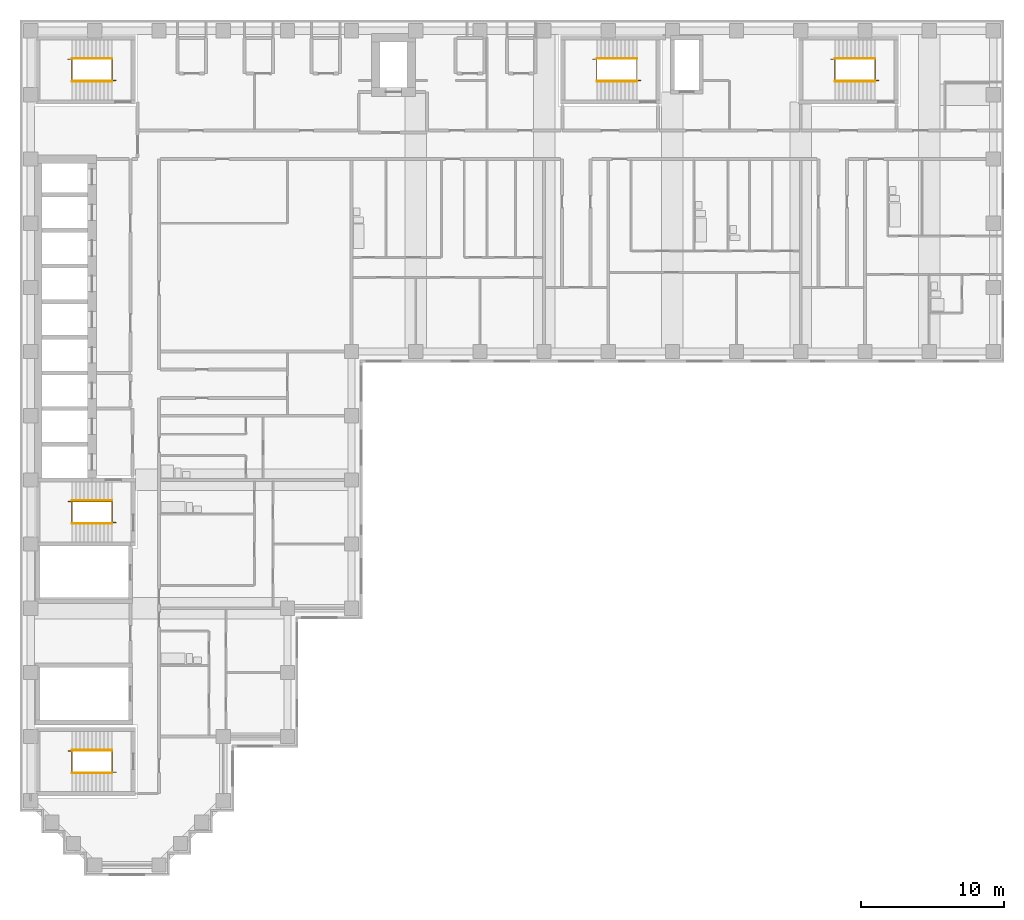
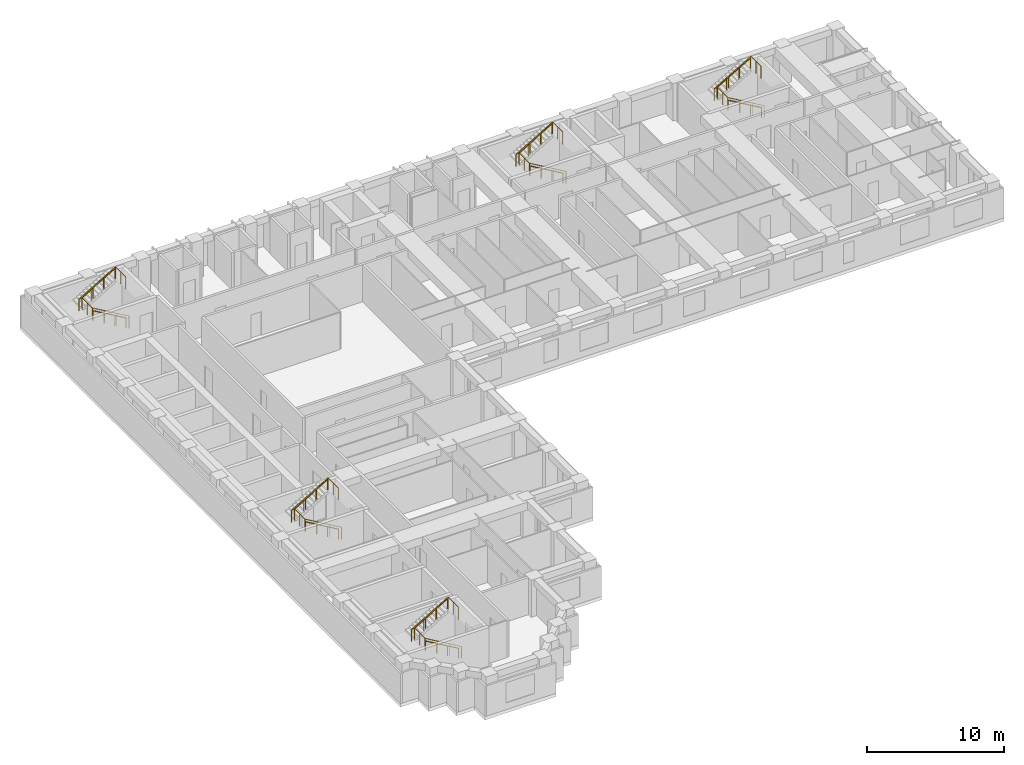
# One storey, part 10 of 11: 15 railings.
"""IFC4 building model written with IfcOpenShell, lengths in metres."""

from ifc_helpers import new_model, si_unit, direction, frame, origin, origin_2d, place, context, subcontext, project, spatial, circle, extrude, material, type_object, element, save


model = new_model("IFC4")

# Units and contexts
model_context = context("Model", 3, precision=1e-05, world=origin(), true_north=direction((0.0, 1.0)))
body_context = subcontext(model_context, "Body", "Model", "MODEL_VIEW")
ifc_project = project(units=[si_unit("LENGTHUNIT", "METRE"), si_unit("AREAUNIT", "SQUARE_METRE"), si_unit("VOLUMEUNIT", "CUBIC_METRE"), si_unit("PLANEANGLEUNIT", "RADIAN"), si_unit("MASSUNIT", "GRAM", prefix="KILO")], contexts=[model_context])

# Site, building, storey
site_placement = place(None, origin())
site = spatial("IfcSite", under=ifc_project, at=site_placement, CompositionType="ELEMENT")
building_placement = place(site_placement, origin())
building = spatial("IfcBuilding", under=site, at=building_placement, Name="Firuza Court", CompositionType="ELEMENT")
storey_placement = place(building_placement, frame((0.0, 0.0, 130.39990234375)))
storey = spatial("IfcBuildingStorey", under=building, at=storey_placement, Name="L32", CompositionType="ELEMENT", Elevation=130.39990234375)

# Railings
ifc_material_1 = material(Name="Steel S355", Category="steel")
railing_type_1 = type_object("IfcRailingType", Name="Handrail 900", PredefinedType="HANDRAIL", material=ifc_material_1)
railing_1_placement = place(storey_placement, frame((42.5, 54.949951171875, 0.163818359375)))
element("IfcRailing", 1, at=railing_1_placement, inside=storey, type_object=railing_type_1, Name="Handrail S1 flight 1", PredefinedType="HANDRAIL", context=body_context, shape_type="SweptSolid", body=[
    extrude(circle(Radius=0.02490234375, at=origin_2d()), frame((0.0, 0.0, 0.875), z_axis=(-0.863393664356, 0.0, 0.504530851732), x_axis=(0.0, -1.0, 0.0)), (0.0, 0.0, 1.0), 3.2431640625),
    extrude(circle(Radius=0.02001953125, at=origin_2d()), origin(), (0.0, 0.0, 1.0), 0.849853515625),
    extrude(circle(Radius=0.02001953125, at=origin_2d()), frame((-0.933349609375, 0.0, 0.54541015625)), (0.0, 0.0, 1.0), 0.849853515625),
    extrude(circle(Radius=0.02001953125, at=origin_2d()), frame((-1.86669921875, 0.0, 1.0908203125)), (0.0, 0.0, 1.0), 0.849853515625),
    extrude(circle(Radius=0.02001953125, at=origin_2d()), frame((-2.800048828125, 0.0, 1.63623046875)), (0.0, 0.0, 1.0), 0.849853515625),
])
railing_2_placement = place(storey_placement, frame((39.699951171875, 56.550048828125, 1.963623046875)))
element("IfcRailing", 2, at=railing_2_placement, inside=storey, type_object=railing_type_1, Name="Handrail S1 flight 2", PredefinedType="HANDRAIL", context=body_context, shape_type="SweptSolid", body=[
    extrude(circle(Radius=0.02490234375, at=origin_2d()), frame((0.0, 0.0, 0.875), z_axis=(0.863360870873, 0.0, 0.504586966384), x_axis=(0.0, 1.0, 0.0)), (0.0, 0.0, 1.0), 3.2431640625),
    extrude(circle(Radius=0.02001953125, at=origin_2d()), origin(), (0.0, 0.0, 1.0), 0.849853515625),
    extrude(circle(Radius=0.02001953125, at=origin_2d()), frame((0.933349609375, 0.0, 0.54541015625)), (0.0, 0.0, 1.0), 0.849853515625),
    extrude(circle(Radius=0.02001953125, at=origin_2d()), frame((1.86669921875, 0.0, 1.091064453125)), (0.0, 0.0, 1.0), 0.849853515625),
    extrude(circle(Radius=0.02001953125, at=origin_2d()), frame((2.800048828125, 0.0, 1.636474609375)), (0.0, 0.0, 1.0), 0.849853515625),
])
railing_3_placement = place(storey_placement, frame((5.699951171875, 23.949951171875, 0.163818359375)))
element("IfcRailing", 3, at=railing_3_placement, inside=storey, type_object=railing_type_1, Name="Handrail S2 flight 1", PredefinedType="HANDRAIL", context=body_context, shape_type="SweptSolid", body=[
    extrude(circle(Radius=0.02490234375, at=origin_2d()), frame((0.0, 0.0, 0.875), z_axis=(-0.863393664356, 0.0, 0.504530851732), x_axis=(0.0, -1.0, 0.0)), (0.0, 0.0, 1.0), 3.2431640625),
    extrude(circle(Radius=0.02001953125, at=origin_2d()), origin(), (0.0, 0.0, 1.0), 0.849853515625),
    extrude(circle(Radius=0.02001953125, at=origin_2d()), frame((-0.933349609375, 0.0, 0.54541015625)), (0.0, 0.0, 1.0), 0.849853515625),
    extrude(circle(Radius=0.02001953125, at=origin_2d()), frame((-1.86669921875, 0.0, 1.0908203125)), (0.0, 0.0, 1.0), 0.849853515625),
    extrude(circle(Radius=0.02001953125, at=origin_2d()), frame((-2.800048828125, 0.0, 1.63623046875)), (0.0, 0.0, 1.0), 0.849853515625),
])
railing_4_placement = place(storey_placement, frame((2.89990234375, 25.550048828125, 1.963623046875)))
element("IfcRailing", 4, at=railing_4_placement, inside=storey, type_object=railing_type_1, Name="Handrail S2 flight 2", PredefinedType="HANDRAIL", context=body_context, shape_type="SweptSolid", body=[
    extrude(circle(Radius=0.02490234375, at=origin_2d()), frame((0.0, 0.0, 0.875), z_axis=(0.863360870873, 0.0, 0.504586966384), x_axis=(0.0, 1.0, 0.0)), (0.0, 0.0, 1.0), 3.2431640625),
    extrude(circle(Radius=0.02001953125, at=origin_2d()), origin(), (0.0, 0.0, 1.0), 0.849853515625),
    extrude(circle(Radius=0.02001953125, at=origin_2d()), frame((0.933349609375, 0.0, 0.54541015625)), (0.0, 0.0, 1.0), 0.849853515625),
    extrude(circle(Radius=0.02001953125, at=origin_2d()), frame((1.86669921875, 0.0, 1.091064453125)), (0.0, 0.0, 1.0), 0.849853515625),
    extrude(circle(Radius=0.02001953125, at=origin_2d()), frame((2.800048828125, 0.0, 1.636474609375)), (0.0, 0.0, 1.0), 0.849853515625),
])
railing_5_placement = place(storey_placement, frame((5.699951171875, 54.949951171875, 0.163818359375)))
element("IfcRailing", 5, at=railing_5_placement, inside=storey, type_object=railing_type_1, Name="Handrail S3 flight 1", PredefinedType="HANDRAIL", context=body_context, shape_type="SweptSolid", body=[
    extrude(circle(Radius=0.02490234375, at=origin_2d()), frame((0.0, 0.0, 0.875), z_axis=(-0.863393664356, 0.0, 0.504530851732), x_axis=(0.0, -1.0, 0.0)), (0.0, 0.0, 1.0), 3.2431640625),
    extrude(circle(Radius=0.02001953125, at=origin_2d()), origin(), (0.0, 0.0, 1.0), 0.849853515625),
    extrude(circle(Radius=0.02001953125, at=origin_2d()), frame((-0.933349609375, 0.0, 0.54541015625)), (0.0, 0.0, 1.0), 0.849853515625),
    extrude(circle(Radius=0.02001953125, at=origin_2d()), frame((-1.86669921875, 0.0, 1.0908203125)), (0.0, 0.0, 1.0), 0.849853515625),
    extrude(circle(Radius=0.02001953125, at=origin_2d()), frame((-2.800048828125, 0.0, 1.63623046875)), (0.0, 0.0, 1.0), 0.849853515625),
])
railing_6_placement = place(storey_placement, frame((2.89990234375, 56.550048828125, 1.963623046875)))
element("IfcRailing", 6, at=railing_6_placement, inside=storey, type_object=railing_type_1, Name="Handrail S3 flight 2", PredefinedType="HANDRAIL", context=body_context, shape_type="SweptSolid", body=[
    extrude(circle(Radius=0.02490234375, at=origin_2d()), frame((0.0, 0.0, 0.875), z_axis=(0.863360870873, 0.0, 0.504586966384), x_axis=(0.0, 1.0, 0.0)), (0.0, 0.0, 1.0), 3.2431640625),
    extrude(circle(Radius=0.02001953125, at=origin_2d()), origin(), (0.0, 0.0, 1.0), 0.849853515625),
    extrude(circle(Radius=0.02001953125, at=origin_2d()), frame((0.933349609375, 0.0, 0.54541015625)), (0.0, 0.0, 1.0), 0.849853515625),
    extrude(circle(Radius=0.02001953125, at=origin_2d()), frame((1.86669921875, 0.0, 1.091064453125)), (0.0, 0.0, 1.0), 0.849853515625),
    extrude(circle(Radius=0.02001953125, at=origin_2d()), frame((2.800048828125, 0.0, 1.636474609375)), (0.0, 0.0, 1.0), 0.849853515625),
])
railing_7_placement = place(storey_placement, frame((59.199951171875, 54.949951171875, 0.163818359375)))
element("IfcRailing", 7, at=railing_7_placement, inside=storey, type_object=railing_type_1, Name="Handrail S4 flight 1", PredefinedType="HANDRAIL", context=body_context, shape_type="SweptSolid", body=[
    extrude(circle(Radius=0.02490234375, at=origin_2d()), frame((0.0, 0.0, 0.875), z_axis=(-0.863393664356, 0.0, 0.504530851732), x_axis=(0.0, -1.0, 0.0)), (0.0, 0.0, 1.0), 3.2431640625),
    extrude(circle(Radius=0.02001953125, at=origin_2d()), origin(), (0.0, 0.0, 1.0), 0.849853515625),
    extrude(circle(Radius=0.02001953125, at=origin_2d()), frame((-0.933349609375, 0.0, 0.54541015625)), (0.0, 0.0, 1.0), 0.849853515625),
    extrude(circle(Radius=0.02001953125, at=origin_2d()), frame((-1.86669921875, 0.0, 1.0908203125)), (0.0, 0.0, 1.0), 0.849853515625),
    extrude(circle(Radius=0.02001953125, at=origin_2d()), frame((-2.800048828125, 0.0, 1.63623046875)), (0.0, 0.0, 1.0), 0.849853515625),
])
railing_8_placement = place(storey_placement, frame((56.39990234375, 56.550048828125, 1.963623046875)))
element("IfcRailing", 8, at=railing_8_placement, inside=storey, type_object=railing_type_1, Name="Handrail S4 flight 2", PredefinedType="HANDRAIL", context=body_context, shape_type="SweptSolid", body=[
    extrude(circle(Radius=0.02490234375, at=origin_2d()), frame((0.0, 0.0, 0.875), z_axis=(0.863360870873, 0.0, 0.504586966384), x_axis=(0.0, 1.0, 0.0)), (0.0, 0.0, 1.0), 3.2431640625),
    extrude(circle(Radius=0.02001953125, at=origin_2d()), origin(), (0.0, 0.0, 1.0), 0.849853515625),
    extrude(circle(Radius=0.02001953125, at=origin_2d()), frame((0.933349609375, 0.0, 0.54541015625)), (0.0, 0.0, 1.0), 0.849853515625),
    extrude(circle(Radius=0.02001953125, at=origin_2d()), frame((1.86669921875, 0.0, 1.091064453125)), (0.0, 0.0, 1.0), 0.849853515625),
    extrude(circle(Radius=0.02001953125, at=origin_2d()), frame((2.800048828125, 0.0, 1.636474609375)), (0.0, 0.0, 1.0), 0.849853515625),
])
railing_9_placement = place(storey_placement, frame((5.699951171875, 6.449951171875, 0.163818359375)))
element("IfcRailing", 9, at=railing_9_placement, inside=storey, type_object=railing_type_1, Name="Handrail S5 flight 1", PredefinedType="HANDRAIL", context=body_context, shape_type="SweptSolid", body=[
    extrude(circle(Radius=0.02490234375, at=origin_2d()), frame((0.0, 0.0, 0.875), z_axis=(-0.863393664356, 0.0, 0.504530851732), x_axis=(0.0, -1.0, 0.0)), (0.0, 0.0, 1.0), 3.2431640625),
    extrude(circle(Radius=0.02001953125, at=origin_2d()), origin(), (0.0, 0.0, 1.0), 0.849853515625),
    extrude(circle(Radius=0.02001953125, at=origin_2d()), frame((-0.933349609375, 0.0, 0.54541015625)), (0.0, 0.0, 1.0), 0.849853515625),
    extrude(circle(Radius=0.02001953125, at=origin_2d()), frame((-1.86669921875, 0.0, 1.0908203125)), (0.0, 0.0, 1.0), 0.849853515625),
    extrude(circle(Radius=0.02001953125, at=origin_2d()), frame((-2.800048828125, 0.0, 1.63623046875)), (0.0, 0.0, 1.0), 0.849853515625),
])
railing_10_placement = place(storey_placement, frame((2.89990234375, 8.050048828125, 1.963623046875)))
element("IfcRailing", 10, at=railing_10_placement, inside=storey, type_object=railing_type_1, Name="Handrail S5 flight 2", PredefinedType="HANDRAIL", context=body_context, shape_type="SweptSolid", body=[
    extrude(circle(Radius=0.02490234375, at=origin_2d()), frame((0.0, 0.0, 0.875), z_axis=(0.863360870873, 0.0, 0.504586966384), x_axis=(0.0, 1.0, 0.0)), (0.0, 0.0, 1.0), 3.2431640625),
    extrude(circle(Radius=0.02001953125, at=origin_2d()), origin(), (0.0, 0.0, 1.0), 0.849853515625),
    extrude(circle(Radius=0.02001953125, at=origin_2d()), frame((0.933349609375, 0.0, 0.54541015625)), (0.0, 0.0, 1.0), 0.849853515625),
    extrude(circle(Radius=0.02001953125, at=origin_2d()), frame((1.86669921875, 0.0, 1.091064453125)), (0.0, 0.0, 1.0), 0.849853515625),
    extrude(circle(Radius=0.02001953125, at=origin_2d()), frame((2.800048828125, 0.0, 1.636474609375)), (0.0, 0.0, 1.0), 0.849853515625),
])
ifc_material_2 = material(Name="Steel S355", Category="steel")
railing_type_2 = type_object("IfcRailingType", Name="Stair guard 1100", PredefinedType="GUARDRAIL", material=ifc_material_2)
railing_11_placement = place(storey_placement, frame((42.780029296875, 55.010009765625, 0.0)))
element("IfcRailing", 11, at=railing_11_placement, inside=storey, type_object=railing_type_2, Name="Stair well guard S1", PredefinedType="GUARDRAIL", context=body_context, shape_type="SweptSolid", body=[
    extrude(circle(Radius=0.02490234375, at=origin_2d()), frame((0.0, 0.0, 1.0751953125), z_axis=(-0.863371556955, 0.0, 0.504568681787), x_axis=(0.0, -1.0, 0.0)), (0.0, 0.0, 1.0), 3.5673828125),
    extrude(circle(Radius=0.02490234375, at=origin_2d()), frame((-3.080078125, 0.0, 2.875), z_axis=(0.0, 1.0, 0.0), x_axis=(-1.0, 0.0, 0.0)), (0.0, 0.0, 1.0), 1.47998046875),
    extrude(circle(Radius=0.02490234375, at=origin_2d()), frame((-3.080078125, 1.47998046875, 2.875), z_axis=(-1.0, 0.0, 0.0), x_axis=(0.0, -1.0, 0.0)), (0.0, 0.0, 1.0), 0.280029296875),
    extrude(circle(Radius=0.02490234375, at=origin_2d()), frame((-3.360107421875, 1.47998046875, 2.875), z_axis=(0.863371556955, 0.0, 0.504568681787), x_axis=(0.0, 1.0, 0.0)), (0.0, 0.0, 1.0), 3.5673828125),
    extrude(circle(Radius=0.02490234375, at=origin_2d()), frame((-0.280029296875, 1.47998046875, 4.67529296875), z_axis=(0.0, -1.0, 0.0), x_axis=(1.0, 0.0, 0.0)), (0.0, 0.0, 1.0), 1.47998046875),
    extrude(circle(Radius=0.02490234375, at=origin_2d()), origin(), (0.0, 0.0, 1.0), 1.050048828125),
    extrude(circle(Radius=0.02490234375, at=origin_2d()), frame((-1.026611328125, 0.0, 0.60009765625)), (0.0, 0.0, 1.0), 1.050048828125),
    extrude(circle(Radius=0.02490234375, at=origin_2d()), frame((-2.053466796875, 0.0, 1.199951171875)), (0.0, 0.0, 1.0), 1.050048828125),
    extrude(circle(Radius=0.02490234375, at=origin_2d()), frame((-3.080078125, 0.0, 1.800048828125)), (0.0, 0.0, 1.0), 1.050048828125),
    extrude(circle(Radius=0.02490234375, at=origin_2d()), frame((-3.080078125, 0.739990234375, 1.800048828125)), (0.0, 0.0, 1.0), 1.050048828125),
    extrude(circle(Radius=0.02490234375, at=origin_2d()), frame((-3.080078125, 1.47998046875, 1.800048828125)), (0.0, 0.0, 1.0), 1.050048828125),
    extrude(circle(Radius=0.02490234375, at=origin_2d()), frame((-3.360107421875, 1.47998046875, 1.800048828125)), (0.0, 0.0, 1.0), 1.050048828125),
    extrude(circle(Radius=0.02490234375, at=origin_2d()), frame((-2.33349609375, 1.47998046875, 2.400146484375)), (0.0, 0.0, 1.0), 1.050048828125),
    extrude(circle(Radius=0.02490234375, at=origin_2d()), frame((-1.306640625, 1.47998046875, 3.0)), (0.0, 0.0, 1.0), 1.050048828125),
    extrude(circle(Radius=0.02490234375, at=origin_2d()), frame((-0.280029296875, 1.47998046875, 3.60009765625)), (0.0, 0.0, 1.0), 1.050048828125),
    extrude(circle(Radius=0.02490234375, at=origin_2d()), frame((-0.280029296875, 0.739990234375, 3.60009765625)), (0.0, 0.0, 1.0), 1.050048828125),
    extrude(circle(Radius=0.02490234375, at=origin_2d()), frame((-0.280029296875, 0.0, 3.60009765625)), (0.0, 0.0, 1.0), 1.050048828125),
])
railing_12_placement = place(storey_placement, frame((5.97998046875, 24.010009765625, 0.0)))
element("IfcRailing", 12, at=railing_12_placement, inside=storey, type_object=railing_type_2, Name="Stair well guard S2", PredefinedType="GUARDRAIL", context=body_context, shape_type="SweptSolid", body=[
    extrude(circle(Radius=0.02490234375, at=origin_2d()), frame((0.0, 0.0, 1.0751953125), z_axis=(-0.863371556955, 0.0, 0.504568681787), x_axis=(0.0, -1.0, 0.0)), (0.0, 0.0, 1.0), 3.5673828125),
    extrude(circle(Radius=0.02490234375, at=origin_2d()), frame((-3.080078125, 0.0, 2.875), z_axis=(0.0, 1.0, 0.0), x_axis=(-1.0, 0.0, 0.0)), (0.0, 0.0, 1.0), 1.47998046875),
    extrude(circle(Radius=0.02490234375, at=origin_2d()), frame((-3.080078125, 1.47998046875, 2.875), z_axis=(-1.0, 0.0, 0.0), x_axis=(0.0, -1.0, 0.0)), (0.0, 0.0, 1.0), 0.27978515625),
    extrude(circle(Radius=0.02490234375, at=origin_2d()), frame((-3.35986328125, 1.47998046875, 2.875), z_axis=(0.863354132664, 0.0, 0.504598495452), x_axis=(0.0, 1.0, 0.0)), (0.0, 0.0, 1.0), 3.5673828125),
    extrude(circle(Radius=0.02490234375, at=origin_2d()), frame((-0.280029296875, 1.47998046875, 4.67529296875), z_axis=(0.0, -1.0, 0.0), x_axis=(1.0, 0.0, 0.0)), (0.0, 0.0, 1.0), 1.47998046875),
    extrude(circle(Radius=0.02490234375, at=origin_2d()), origin(), (0.0, 0.0, 1.0), 1.050048828125),
    extrude(circle(Radius=0.02490234375, at=origin_2d()), frame((-1.026611328125, 0.0, 0.60009765625)), (0.0, 0.0, 1.0), 1.050048828125),
    extrude(circle(Radius=0.02490234375, at=origin_2d()), frame((-2.053466796875, 0.0, 1.199951171875)), (0.0, 0.0, 1.0), 1.050048828125),
    extrude(circle(Radius=0.02490234375, at=origin_2d()), frame((-3.080078125, 0.0, 1.800048828125)), (0.0, 0.0, 1.0), 1.050048828125),
    extrude(circle(Radius=0.02490234375, at=origin_2d()), frame((-3.080078125, 0.739990234375, 1.800048828125)), (0.0, 0.0, 1.0), 1.050048828125),
    extrude(circle(Radius=0.02490234375, at=origin_2d()), frame((-3.080078125, 1.47998046875, 1.800048828125)), (0.0, 0.0, 1.0), 1.050048828125),
    extrude(circle(Radius=0.02490234375, at=origin_2d()), frame((-3.35986328125, 1.47998046875, 1.800048828125)), (0.0, 0.0, 1.0), 1.050048828125),
    extrude(circle(Radius=0.02490234375, at=origin_2d()), frame((-2.333251953125, 1.47998046875, 2.400146484375)), (0.0, 0.0, 1.0), 1.050048828125),
    extrude(circle(Radius=0.02490234375, at=origin_2d()), frame((-1.306640625, 1.47998046875, 3.0)), (0.0, 0.0, 1.0), 1.050048828125),
    extrude(circle(Radius=0.02490234375, at=origin_2d()), frame((-0.280029296875, 1.47998046875, 3.60009765625)), (0.0, 0.0, 1.0), 1.050048828125),
    extrude(circle(Radius=0.02490234375, at=origin_2d()), frame((-0.280029296875, 0.739990234375, 3.60009765625)), (0.0, 0.0, 1.0), 1.050048828125),
    extrude(circle(Radius=0.02490234375, at=origin_2d()), frame((-0.280029296875, 0.0, 3.60009765625)), (0.0, 0.0, 1.0), 1.050048828125),
])
railing_13_placement = place(storey_placement, frame((5.97998046875, 55.010009765625, 0.0)))
element("IfcRailing", 13, at=railing_13_placement, inside=storey, type_object=railing_type_2, Name="Stair well guard S3", PredefinedType="GUARDRAIL", context=body_context, shape_type="SweptSolid", body=[
    extrude(circle(Radius=0.02490234375, at=origin_2d()), frame((0.0, 0.0, 1.0751953125), z_axis=(-0.863371556955, 0.0, 0.504568681787), x_axis=(0.0, -1.0, 0.0)), (0.0, 0.0, 1.0), 3.5673828125),
    extrude(circle(Radius=0.02490234375, at=origin_2d()), frame((-3.080078125, 0.0, 2.875), z_axis=(0.0, 1.0, 0.0), x_axis=(-1.0, 0.0, 0.0)), (0.0, 0.0, 1.0), 1.47998046875),
    extrude(circle(Radius=0.02490234375, at=origin_2d()), frame((-3.080078125, 1.47998046875, 2.875), z_axis=(-1.0, 0.0, 0.0), x_axis=(0.0, -1.0, 0.0)), (0.0, 0.0, 1.0), 0.27978515625),
    extrude(circle(Radius=0.02490234375, at=origin_2d()), frame((-3.35986328125, 1.47998046875, 2.875), z_axis=(0.863354132664, 0.0, 0.504598495452), x_axis=(0.0, 1.0, 0.0)), (0.0, 0.0, 1.0), 3.5673828125),
    extrude(circle(Radius=0.02490234375, at=origin_2d()), frame((-0.280029296875, 1.47998046875, 4.67529296875), z_axis=(0.0, -1.0, 0.0), x_axis=(1.0, 0.0, 0.0)), (0.0, 0.0, 1.0), 1.47998046875),
    extrude(circle(Radius=0.02490234375, at=origin_2d()), origin(), (0.0, 0.0, 1.0), 1.050048828125),
    extrude(circle(Radius=0.02490234375, at=origin_2d()), frame((-1.026611328125, 0.0, 0.60009765625)), (0.0, 0.0, 1.0), 1.050048828125),
    extrude(circle(Radius=0.02490234375, at=origin_2d()), frame((-2.053466796875, 0.0, 1.199951171875)), (0.0, 0.0, 1.0), 1.050048828125),
    extrude(circle(Radius=0.02490234375, at=origin_2d()), frame((-3.080078125, 0.0, 1.800048828125)), (0.0, 0.0, 1.0), 1.050048828125),
    extrude(circle(Radius=0.02490234375, at=origin_2d()), frame((-3.080078125, 0.739990234375, 1.800048828125)), (0.0, 0.0, 1.0), 1.050048828125),
    extrude(circle(Radius=0.02490234375, at=origin_2d()), frame((-3.080078125, 1.47998046875, 1.800048828125)), (0.0, 0.0, 1.0), 1.050048828125),
    extrude(circle(Radius=0.02490234375, at=origin_2d()), frame((-3.35986328125, 1.47998046875, 1.800048828125)), (0.0, 0.0, 1.0), 1.050048828125),
    extrude(circle(Radius=0.02490234375, at=origin_2d()), frame((-2.333251953125, 1.47998046875, 2.400146484375)), (0.0, 0.0, 1.0), 1.050048828125),
    extrude(circle(Radius=0.02490234375, at=origin_2d()), frame((-1.306640625, 1.47998046875, 3.0)), (0.0, 0.0, 1.0), 1.050048828125),
    extrude(circle(Radius=0.02490234375, at=origin_2d()), frame((-0.280029296875, 1.47998046875, 3.60009765625)), (0.0, 0.0, 1.0), 1.050048828125),
    extrude(circle(Radius=0.02490234375, at=origin_2d()), frame((-0.280029296875, 0.739990234375, 3.60009765625)), (0.0, 0.0, 1.0), 1.050048828125),
    extrude(circle(Radius=0.02490234375, at=origin_2d()), frame((-0.280029296875, 0.0, 3.60009765625)), (0.0, 0.0, 1.0), 1.050048828125),
])
railing_14_placement = place(storey_placement, frame((59.47998046875, 55.010009765625, 0.0)))
element("IfcRailing", 14, at=railing_14_placement, inside=storey, type_object=railing_type_2, Name="Stair well guard S4", PredefinedType="GUARDRAIL", context=body_context, shape_type="SweptSolid", body=[
    extrude(circle(Radius=0.02490234375, at=origin_2d()), frame((0.0, 0.0, 1.0751953125), z_axis=(-0.863371556955, 0.0, 0.504568681787), x_axis=(0.0, -1.0, 0.0)), (0.0, 0.0, 1.0), 3.5673828125),
    extrude(circle(Radius=0.02490234375, at=origin_2d()), frame((-3.080078125, 0.0, 2.875), z_axis=(0.0, 1.0, 0.0), x_axis=(-1.0, 0.0, 0.0)), (0.0, 0.0, 1.0), 1.47998046875),
    extrude(circle(Radius=0.02490234375, at=origin_2d()), frame((-3.080078125, 1.47998046875, 2.875), z_axis=(-1.0, 0.0, 0.0), x_axis=(0.0, -1.0, 0.0)), (0.0, 0.0, 1.0), 0.27978515625),
    extrude(circle(Radius=0.02490234375, at=origin_2d()), frame((-3.35986328125, 1.47998046875, 2.875), z_axis=(0.863354132664, 0.0, 0.504598495452), x_axis=(0.0, 1.0, 0.0)), (0.0, 0.0, 1.0), 3.5673828125),
    extrude(circle(Radius=0.02490234375, at=origin_2d()), frame((-0.280029296875, 1.47998046875, 4.67529296875), z_axis=(0.0, -1.0, 0.0), x_axis=(1.0, 0.0, 0.0)), (0.0, 0.0, 1.0), 1.47998046875),
    extrude(circle(Radius=0.02490234375, at=origin_2d()), origin(), (0.0, 0.0, 1.0), 1.050048828125),
    extrude(circle(Radius=0.02490234375, at=origin_2d()), frame((-1.026611328125, 0.0, 0.60009765625)), (0.0, 0.0, 1.0), 1.050048828125),
    extrude(circle(Radius=0.02490234375, at=origin_2d()), frame((-2.053466796875, 0.0, 1.199951171875)), (0.0, 0.0, 1.0), 1.050048828125),
    extrude(circle(Radius=0.02490234375, at=origin_2d()), frame((-3.080078125, 0.0, 1.800048828125)), (0.0, 0.0, 1.0), 1.050048828125),
    extrude(circle(Radius=0.02490234375, at=origin_2d()), frame((-3.080078125, 0.739990234375, 1.800048828125)), (0.0, 0.0, 1.0), 1.050048828125),
    extrude(circle(Radius=0.02490234375, at=origin_2d()), frame((-3.080078125, 1.47998046875, 1.800048828125)), (0.0, 0.0, 1.0), 1.050048828125),
    extrude(circle(Radius=0.02490234375, at=origin_2d()), frame((-3.35986328125, 1.47998046875, 1.800048828125)), (0.0, 0.0, 1.0), 1.050048828125),
    extrude(circle(Radius=0.02490234375, at=origin_2d()), frame((-2.333251953125, 1.47998046875, 2.400146484375)), (0.0, 0.0, 1.0), 1.050048828125),
    extrude(circle(Radius=0.02490234375, at=origin_2d()), frame((-1.306640625, 1.47998046875, 3.0)), (0.0, 0.0, 1.0), 1.050048828125),
    extrude(circle(Radius=0.02490234375, at=origin_2d()), frame((-0.280029296875, 1.47998046875, 3.60009765625)), (0.0, 0.0, 1.0), 1.050048828125),
    extrude(circle(Radius=0.02490234375, at=origin_2d()), frame((-0.280029296875, 0.739990234375, 3.60009765625)), (0.0, 0.0, 1.0), 1.050048828125),
    extrude(circle(Radius=0.02490234375, at=origin_2d()), frame((-0.280029296875, 0.0, 3.60009765625)), (0.0, 0.0, 1.0), 1.050048828125),
])
railing_15_placement = place(storey_placement, frame((5.97998046875, 6.510009765625, 0.0)))
element("IfcRailing", 15, at=railing_15_placement, inside=storey, type_object=railing_type_2, Name="Stair well guard S5", PredefinedType="GUARDRAIL", context=body_context, shape_type="SweptSolid", body=[
    extrude(circle(Radius=0.02490234375, at=origin_2d()), frame((0.0, 0.0, 1.0751953125), z_axis=(-0.863371556955, 0.0, 0.504568681787), x_axis=(0.0, -1.0, 0.0)), (0.0, 0.0, 1.0), 3.5673828125),
    extrude(circle(Radius=0.02490234375, at=origin_2d()), frame((-3.080078125, 0.0, 2.875), z_axis=(0.0, 1.0, 0.0), x_axis=(-1.0, 0.0, 0.0)), (0.0, 0.0, 1.0), 1.47998046875),
    extrude(circle(Radius=0.02490234375, at=origin_2d()), frame((-3.080078125, 1.47998046875, 2.875), z_axis=(-1.0, 0.0, 0.0), x_axis=(0.0, -1.0, 0.0)), (0.0, 0.0, 1.0), 0.27978515625),
    extrude(circle(Radius=0.02490234375, at=origin_2d()), frame((-3.35986328125, 1.47998046875, 2.875), z_axis=(0.863354132664, 0.0, 0.504598495452), x_axis=(0.0, 1.0, 0.0)), (0.0, 0.0, 1.0), 3.5673828125),
    extrude(circle(Radius=0.02490234375, at=origin_2d()), frame((-0.280029296875, 1.47998046875, 4.67529296875), z_axis=(0.0, -1.0, 0.0), x_axis=(1.0, 0.0, 0.0)), (0.0, 0.0, 1.0), 1.47998046875),
    extrude(circle(Radius=0.02490234375, at=origin_2d()), origin(), (0.0, 0.0, 1.0), 1.050048828125),
    extrude(circle(Radius=0.02490234375, at=origin_2d()), frame((-1.026611328125, 0.0, 0.60009765625)), (0.0, 0.0, 1.0), 1.050048828125),
    extrude(circle(Radius=0.02490234375, at=origin_2d()), frame((-2.053466796875, 0.0, 1.199951171875)), (0.0, 0.0, 1.0), 1.050048828125),
    extrude(circle(Radius=0.02490234375, at=origin_2d()), frame((-3.080078125, 0.0, 1.800048828125)), (0.0, 0.0, 1.0), 1.050048828125),
    extrude(circle(Radius=0.02490234375, at=origin_2d()), frame((-3.080078125, 0.739990234375, 1.800048828125)), (0.0, 0.0, 1.0), 1.050048828125),
    extrude(circle(Radius=0.02490234375, at=origin_2d()), frame((-3.080078125, 1.47998046875, 1.800048828125)), (0.0, 0.0, 1.0), 1.050048828125),
    extrude(circle(Radius=0.02490234375, at=origin_2d()), frame((-3.35986328125, 1.47998046875, 1.800048828125)), (0.0, 0.0, 1.0), 1.050048828125),
    extrude(circle(Radius=0.02490234375, at=origin_2d()), frame((-2.333251953125, 1.47998046875, 2.400146484375)), (0.0, 0.0, 1.0), 1.050048828125),
    extrude(circle(Radius=0.02490234375, at=origin_2d()), frame((-1.306640625, 1.47998046875, 3.0)), (0.0, 0.0, 1.0), 1.050048828125),
    extrude(circle(Radius=0.02490234375, at=origin_2d()), frame((-0.280029296875, 1.47998046875, 3.60009765625)), (0.0, 0.0, 1.0), 1.050048828125),
    extrude(circle(Radius=0.02490234375, at=origin_2d()), frame((-0.280029296875, 0.739990234375, 3.60009765625)), (0.0, 0.0, 1.0), 1.050048828125),
    extrude(circle(Radius=0.02490234375, at=origin_2d()), frame((-0.280029296875, 0.0, 3.60009765625)), (0.0, 0.0, 1.0), 1.050048828125),
])

save(model, "model.ifc")
